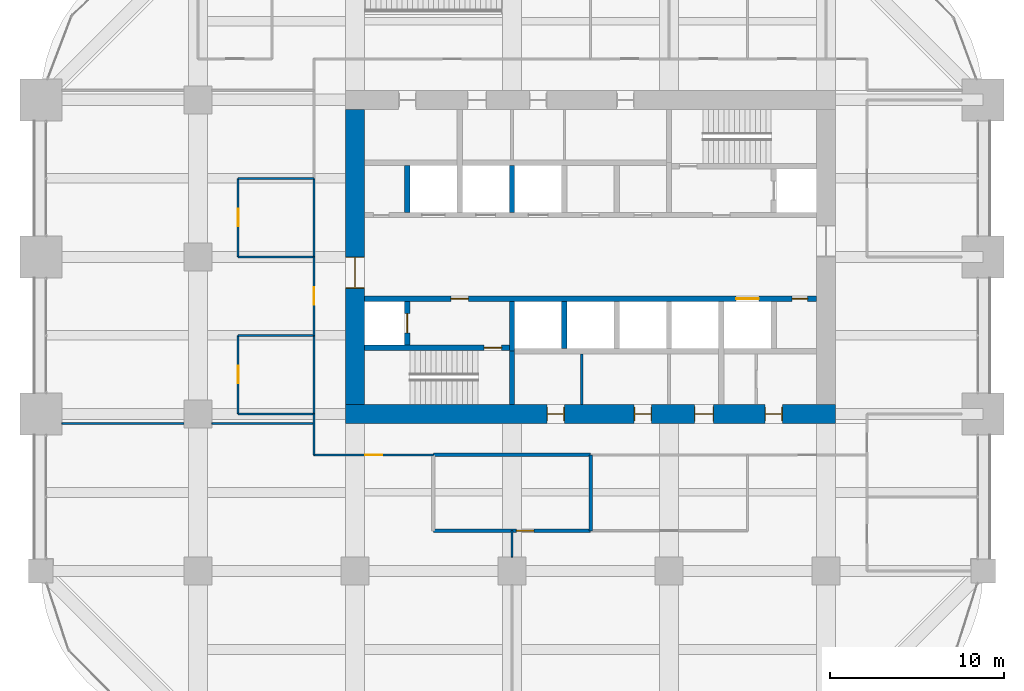
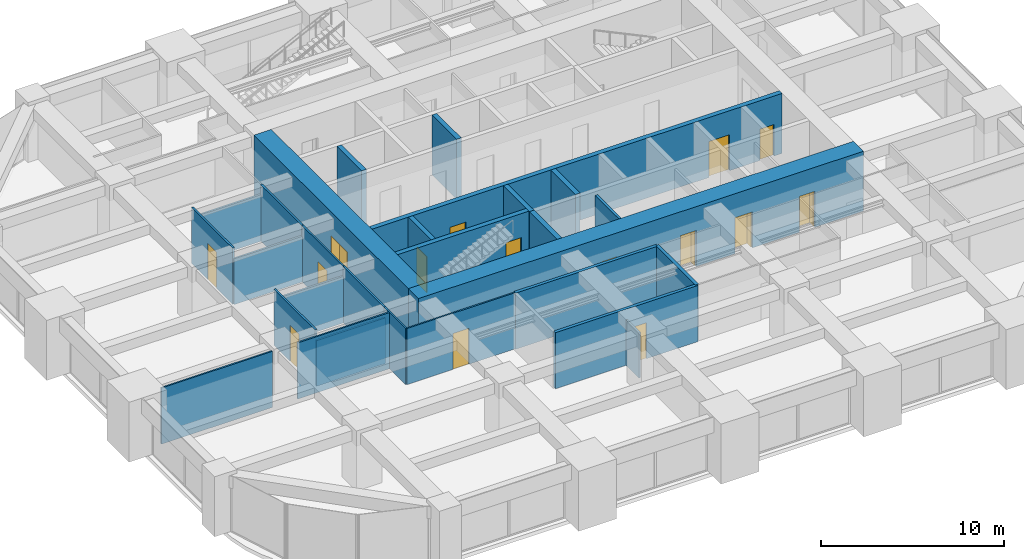
# One storey, part 29 of 33: 28 walls, 15 doors, 15 openings.
"""IFC4 building model written with IfcOpenShell, lengths in metres."""

import ifcopenshell
import ifcopenshell.guid

model = None  # the IFC model being written
_history = None  # IfcOwnerHistory: only IFC2X3 demands one
_inside = {}  # id of a spatial element -> (the spatial element, [elements in it])
_under = {}  # id of a project, library or spatial element -> (it, [spatial elements below it])
_declared = {}  # id of a project -> (the project, [libraries it declares])
_typed = {}  # id of a type object -> (the type object, [elements of that type])
_made_of = {}  # id of a material, layer set ... -> (it, [elements and type objects made of it])


def new_model(schema):
    """Start an empty IFC model of exactly this schema.

    Asked for "IFC4X3", IfcOpenShell would pick the latest addendum, in which some entities
    have other attributes; the version numbers below select the first issue.
    IFC2X3 requires an IfcOwnerHistory on every rooted entity: one is made here for all.
    """
    global model, _history
    if schema == "IFC4X3":
        model = ifcopenshell.file(schema_version=(4, 3, 0, 0))
    else:
        model = ifcopenshell.file(schema=schema)
    _inside.clear()
    _under.clear()
    _declared.clear()
    _typed.clear()
    _made_of.clear()
    _history = None
    if model.schema == "IFC2X3":
        org = make("IfcOrganization", Name="unknown")
        user = make(
            "IfcPersonAndOrganization",
            ThePerson=make("IfcPerson", FamilyName="unknown"),
            TheOrganization=org,
        )
        app = make(
            "IfcApplication",
            ApplicationDeveloper=org,
            Version="unknown",
            ApplicationFullName="unknown",
            ApplicationIdentifier="unknown",
        )
        _history = make(
            "IfcOwnerHistory",
            OwningUser=user,
            OwningApplication=app,
            ChangeAction="ADDED",
            CreationDate=0,
        )
    return model


def make(cls, **values):
    """One entity of the class cls with the attributes given. An attribute that is None is left unset."""
    return model.create_entity(
        cls, **{name: value for name, value in values.items() if value is not None}
    )


def rooted(cls, **values):
    """An entity with a GlobalId (a new one), such as an element, a storey or a relation."""
    return make(cls, GlobalId=ifcopenshell.guid.new(), OwnerHistory=_history, **values)


def si_unit(unit_type, name, prefix=None):
    """IfcSIUnit, for example si_unit("LENGTHUNIT", "METRE", prefix="MILLI")."""
    return make("IfcSIUnit", UnitType=unit_type, Prefix=prefix, Name=name)


def assignment(units):
    """IfcUnitAssignment: the units of a project."""
    return None if units is None else make("IfcUnitAssignment", Units=units)


def point(xyz):
    """IfcCartesianPoint."""
    return None if xyz is None else make("IfcCartesianPoint", Coordinates=xyz)


def direction(xyz):
    """IfcDirection."""
    return None if xyz is None else make("IfcDirection", DirectionRatios=xyz)


def frame(location, z_axis=None, x_axis=None):
    """IfcAxis2Placement3D, a coordinate frame: its origin and axes. An axis left out is left unset."""
    return make(
        "IfcAxis2Placement3D",
        Location=point(location),
        Axis=direction(z_axis),
        RefDirection=direction(x_axis),
    )


def frame_2d(location, x_axis=None):
    """IfcAxis2Placement2D, a coordinate frame in the plane: its origin and x axis."""
    return make(
        "IfcAxis2Placement2D", Location=point(location), RefDirection=direction(x_axis)
    )


def origin():
    """The frame at (0, 0, 0) with its axes left unset."""
    return frame((0.0, 0.0, 0.0))


def place(relative_to, where):
    """IfcLocalPlacement: puts the frame where relative to a parent placement (None: the world)."""
    return make(
        "IfcLocalPlacement", PlacementRelTo=relative_to, RelativePlacement=where
    )


def context(
    kind, dimensions, precision=None, world=None, true_north=None, identifier=None
):
    """IfcGeometricRepresentationContext, for example the 3D "Model" context."""
    return make(
        "IfcGeometricRepresentationContext",
        ContextIdentifier=identifier,
        ContextType=kind,
        CoordinateSpaceDimension=dimensions,
        Precision=precision,
        WorldCoordinateSystem=world,
        TrueNorth=true_north,
    )


def subcontext(parent, identifier, kind, view, scale=None):
    """IfcGeometricRepresentationSubContext, for example "Body" below "Model"."""
    return make(
        "IfcGeometricRepresentationSubContext",
        ContextIdentifier=identifier,
        ContextType=kind,
        ParentContext=parent,
        TargetScale=scale,
        TargetView=view,
    )


def project(units=None, contexts=None):
    """IfcProject with its units and contexts."""
    return rooted(
        "IfcProject",
        Name="project",
        RepresentationContexts=contexts,
        UnitsInContext=assignment(units),
    )


def spatial(cls, under=None, at=None, **own):
    """A site, building, storey or space (cls), placed at a placement, below another one or the project."""
    s = rooted(cls, ObjectPlacement=at, **own)
    if under is not None:
        _under.setdefault(under.id(), (under, []))[1].append(s)
    return s


def profile(cls, at=None, kind="AREA", **sizes):
    """A parametric profile (cls). Its sizes go by their IFC names, for example OverallWidth=200.0."""
    return make(cls, ProfileType=kind, Position=at, **sizes)


def rectangle(**sizes):
    """IfcRectangleProfileDef."""
    return profile("IfcRectangleProfileDef", **sizes)


def extrude(swept, where, along, depth):
    """IfcExtrudedAreaSolid: the profile swept, set in the frame where, extruded along a direction by depth."""
    return make(
        "IfcExtrudedAreaSolid",
        SweptArea=swept,
        Position=where,
        ExtrudedDirection=direction(along),
        Depth=depth,
    )


def shape(context_of_items, identifier, shape_type, items):
    """IfcShapeRepresentation: the items that make up one representation, for example the "Body"."""
    return make(
        "IfcShapeRepresentation",
        ContextOfItems=context_of_items,
        RepresentationIdentifier=identifier,
        RepresentationType=shape_type,
        Items=items,
    )


def material(Name=None, Category=None):
    """IfcMaterial."""
    return make("IfcMaterial", Name=Name, Category=Category)


def layer(
    of_material, thickness, ventilated=None, Name=None, Category=None, Priority=None
):
    """IfcMaterialLayer: one layer of a wall or slab, of a material (None: an air gap)."""
    return make(
        "IfcMaterialLayer",
        Material=of_material,
        LayerThickness=thickness,
        IsVentilated=ventilated,
        Name=Name,
        Category=Category,
        Priority=Priority,
    )


def layer_set(layers, Name=None):
    """IfcMaterialLayerSet."""
    return make("IfcMaterialLayerSet", MaterialLayers=layers, LayerSetName=Name)


def made_of(thing, what):
    """Note that an element or type object is made of a material, layer set ...; save() writes the relation."""
    if what is not None:
        _made_of.setdefault(what.id(), (what, []))[1].append(thing)
    return thing


def type_object(cls, material=None, **own):
    """A type object (cls), such as IfcWallType, which elements share."""
    return made_of(rooted(cls, **own), material)


def element(
    cls,
    number,
    at=None,
    inside=None,
    cuts=None,
    type_object=None,
    material=None,
    context=None,
    identifier="Body",
    shape_type=None,
    held_by="IfcProductDefinitionShape",
    body=None,
    shapes=None,
    **own,
):
    """One element of the class cls, such as IfcWall. Its Tag is "e" and its number.

    at: its placement. inside: the storey or other place that contains it. cuts: it is an
    opening in that element (IfcRelVoidsElement). A single representation is given by context,
    identifier, shape_type and body (its items); several are given by shapes. held_by: the class
    of the entity that holds the representations. save() writes the other relations.
    """
    e = rooted(cls, Tag="e%d" % number, ObjectPlacement=at, **own)
    if body is not None:
        shapes = [shape(context, identifier, shape_type, body)]
    if shapes is not None:
        e.Representation = make(held_by, Representations=shapes)
    if inside is not None:
        _inside.setdefault(inside.id(), (inside, []))[1].append(e)
    if cuts is not None:
        rooted(
            "IfcRelVoidsElement", RelatingBuildingElement=cuts, RelatedOpeningElement=e
        )
    if type_object is not None:
        _typed.setdefault(type_object.id(), (type_object, []))[1].append(e)
    return made_of(e, material)


def fill(opening, filler):
    """IfcRelFillsElement: the door or window that sits in an opening."""
    return rooted(
        "IfcRelFillsElement",
        RelatingOpeningElement=opening,
        RelatedBuildingElement=filler,
    )


def aggregate(whole, parts):
    """IfcRelAggregates: a whole, such as a stair, and the parts it consists of."""
    return rooted("IfcRelAggregates", RelatingObject=whole, RelatedObjects=parts)


def save(model, path):
    """Write the relations noted so far, then the file.

    IfcRelAggregates (storeys below a building ...), IfcRelContainedInSpatialStructure (elements
    in a storey), IfcRelDefinesByType, IfcRelAssociatesMaterial and IfcRelDeclares: one each for
    every whole, place, type object, material and project.
    """
    for whole, parts in _under.values():
        aggregate(whole, parts)
    for where, things in _inside.values():
        rooted(
            "IfcRelContainedInSpatialStructure",
            RelatedElements=things,
            RelatingStructure=where,
        )
    for kind, things in _typed.values():
        rooted("IfcRelDefinesByType", RelatedObjects=things, RelatingType=kind)
    for what, things in _made_of.values():
        rooted("IfcRelAssociatesMaterial", RelatedObjects=things, RelatingMaterial=what)
    for by, libraries in _declared.values():
        rooted("IfcRelDeclares", RelatingContext=by, RelatedDefinitions=libraries)
    model.write(path)


model = new_model("IFC4")

# Units and contexts
model_context = context("Model", 3, precision=1e-05, world=origin(), true_north=direction((0.0, 1.0)))
body_context = subcontext(model_context, "Body", "Model", "MODEL_VIEW")
ifc_project = project(units=[si_unit("LENGTHUNIT", "METRE"), si_unit("AREAUNIT", "SQUARE_METRE"), si_unit("VOLUMEUNIT", "CUBIC_METRE"), si_unit("PLANEANGLEUNIT", "RADIAN"), si_unit("MASSUNIT", "GRAM", prefix="KILO")], contexts=[model_context])

# Site, building, storey
site_placement = place(None, origin())
site = spatial("IfcSite", under=ifc_project, at=site_placement, CompositionType="ELEMENT")
building_placement = place(site_placement, origin())
building = spatial("IfcBuilding", under=site, at=building_placement, Name="Zorevar Civic Tower", CompositionType="ELEMENT")
storey_placement = place(building_placement, frame((0.0, 0.0, 194.199951171875)))
storey = spatial("IfcBuildingStorey", under=building, at=storey_placement, Name="L47", CompositionType="ELEMENT", Elevation=194.199951171875)

# Wall, opening, door
ifc_material_1 = material(Name="Concrete blockwork", Category="masonry")
ifc_layer_1 = layer(ifc_material_1, 0.199951171875)
ifc_layer_set_1 = layer_set([ifc_layer_1], Name="Blockwork wall 200")
wall_type_1 = type_object("IfcWallType", Name="Blockwork wall 200", PredefinedType="SOLIDWALL", material=ifc_layer_set_1)
wall_1_placement = place(storey_placement, frame((22.5, 11.300048828125, 0.0), z_axis=(0.0, 0.0, 1.0), x_axis=(1.0, 0.0, 0.0)))
wall_1 = element("IfcWall", 1, at=wall_1_placement, inside=storey, type_object=wall_type_1, Name="Blockwork wall 200 L47", PredefinedType="SOLIDWALL", context=body_context, shape_type="SweptSolid", body=[
    extrude(rectangle(XDim=9.0, YDim=0.199951171875, at=frame_2d((4.5, 0.0))), origin(), (0.0, 0.0, 1.0), 3.75),
])
opening_1_placement = place(wall_1_placement, frame((4.75, 0.0, 0.0)))
opening_1 = element("IfcOpeningElement", 2, at=opening_1_placement, cuts=wall_1, Name="Opening L47.17", PredefinedType="OPENING", context=body_context, shape_type="SweptSolid", body=[
    extrude(rectangle(XDim=1.0, YDim=2.39990234375, at=frame_2d((0.5, 1.199951171875))), frame((0.0, 0.10986328125, 0.0), z_axis=(0.0, -1.0, 0.0), x_axis=(1.0, 0.0, 0.0)), (0.0, 0.0, 1.0), 0.219970703125),
])
ifc_material_2 = material(Name="Steel door set", Category="steel")
door_type_1 = type_object("IfcDoorType", Name="Security door SD1 1000x2400", OperationType="SINGLE_SWING_LEFT", PredefinedType="DOOR", material=ifc_material_2)
door_1_placement = place(opening_1_placement, origin())
door_1 = element("IfcDoor", 3, at=door_1_placement, inside=storey, type_object=door_type_1, Name="Door L47 D1", OperationType="SINGLE_SWING_RIGHT", OverallHeight=2.39990234375, OverallWidth=1.0, PredefinedType="DOOR", context=body_context, shape_type="SweptSolid", body=[
    extrude(rectangle(XDim=1.0, YDim=2.39990234375, at=frame_2d((0.5, 1.199951171875))), frame((0.0, 0.03515625, 0.0), z_axis=(0.0, -1.0, 0.0), x_axis=(1.0, 0.0, 0.0)), (0.0, 0.0, 1.0), 0.070068359375),
])
fill(opening_1, door_1)

# Walls
wall_2_placement = place(storey_placement, frame((22.5, 15.64990234375, 0.0), z_axis=(0.0, 0.0, 1.0), x_axis=(1.0, 0.0, 0.0)))
element("IfcWall", 4, at=wall_2_placement, inside=storey, type_object=wall_type_1, Name="Blockwork wall 200 L47", PredefinedType="SOLIDWALL", context=body_context, shape_type="SweptSolid", body=[
    extrude(rectangle(XDim=9.0, YDim=0.199951171875, at=frame_2d((4.5, 0.0))), origin(), (0.0, 0.0, 1.0), 3.75),
])
wall_3_placement = place(storey_placement, frame((31.5, 11.300048828125, 0.0), z_axis=(0.0, 0.0, 1.0), x_axis=(0.0, 1.0, 0.0)))
element("IfcWall", 5, at=wall_3_placement, inside=storey, type_object=wall_type_1, Name="Blockwork wall 200 L47", PredefinedType="SOLIDWALL", context=body_context, shape_type="SweptSolid", body=[
    extrude(rectangle(XDim=4.349853515625, YDim=0.199951171875, at=frame_2d((2.1748046875, 0.0))), origin(), (0.0, 0.0, 1.0), 3.75),
])

# Wall, openings, doors
ifc_material_3 = material(Name="Concrete C50/60", Category="concrete")
ifc_layer_2 = layer(ifc_material_3, 1.10009765625)
ifc_layer_set_2 = layer_set([ifc_layer_2], Name="Core wall 1100")
wall_type_2 = type_object("IfcWallType", Name="Core wall 1100", PredefinedType="SHEAR", material=ifc_layer_set_2)
wall_4_placement = place(storey_placement, frame((17.449951171875, 18.0, 0.0), z_axis=(0.0, 0.0, 1.0), x_axis=(1.0, 0.0, 0.0)))
wall_4 = element("IfcWall", 6, at=wall_4_placement, inside=storey, type_object=wall_type_2, Name="Core wall S L47", PredefinedType="SHEAR", context=body_context, shape_type="SweptSolid", body=[
    extrude(rectangle(XDim=28.10009765625, YDim=1.10009765625, at=frame_2d((14.050048828125, 0.0))), origin(), (0.0, 0.0, 1.0), 4.0),
])
opening_2_placement = place(wall_4_placement, frame((11.550048828125, 0.0, 0.0)))
opening_2 = element("IfcOpeningElement", 7, at=opening_2_placement, cuts=wall_4, Name="Opening L47.03", PredefinedType="OPENING", context=body_context, shape_type="SweptSolid", body=[
    extrude(rectangle(XDim=1.0, YDim=2.39990234375, at=frame_2d((0.5, 1.199951171875))), frame((0.0, 0.56005859375, 0.0), z_axis=(0.0, -1.0, 0.0), x_axis=(1.0, 0.0, 0.0)), (0.0, 0.0, 1.0), 1.1201171875),
])
opening_3_placement = place(wall_4_placement, frame((16.550048828125, 0.0, 0.0)))
opening_3 = element("IfcOpeningElement", 8, at=opening_3_placement, cuts=wall_4, Name="Opening L47.04", PredefinedType="OPENING", context=body_context, shape_type="SweptSolid", body=[
    extrude(rectangle(XDim=1.0, YDim=2.39990234375, at=frame_2d((0.5, 1.199951171875))), frame((0.0, 0.56005859375, 0.0), z_axis=(0.0, -1.0, 0.0), x_axis=(1.0, 0.0, 0.0)), (0.0, 0.0, 1.0), 1.1201171875),
])
opening_4_placement = place(wall_4_placement, frame((20.0, 0.0, 0.0)))
opening_4 = element("IfcOpeningElement", 9, at=opening_4_placement, cuts=wall_4, Name="Opening L47.05", PredefinedType="OPENING", context=body_context, shape_type="SweptSolid", body=[
    extrude(rectangle(XDim=1.10009765625, YDim=2.39990234375, at=frame_2d((0.550048828125, 1.199951171875))), frame((0.0, 0.56005859375, 0.0), z_axis=(0.0, -1.0, 0.0), x_axis=(1.0, 0.0, 0.0)), (0.0, 0.0, 1.0), 1.1201171875),
])
opening_5_placement = place(wall_4_placement, frame((24.050048828125, 0.0, 0.0)))
opening_5 = element("IfcOpeningElement", 10, at=opening_5_placement, cuts=wall_4, Name="Opening L47.06", PredefinedType="OPENING", context=body_context, shape_type="SweptSolid", body=[
    extrude(rectangle(XDim=1.0, YDim=2.39990234375, at=frame_2d((0.5, 1.199951171875))), frame((0.0, 0.56005859375, 0.0), z_axis=(0.0, -1.0, 0.0), x_axis=(1.0, 0.0, 0.0)), (0.0, 0.0, 1.0), 1.1201171875),
])
ifc_material_4 = material(Name="Timber door set", Category="wood")
door_type_2 = type_object("IfcDoorType", Name="Door D1 1000x2400", OperationType="SINGLE_SWING_LEFT", PredefinedType="DOOR", material=ifc_material_4)
door_2_placement = place(opening_2_placement, origin())
door_2 = element("IfcDoor", 11, at=door_2_placement, inside=storey, type_object=door_type_2, Name="Door L47 02", OperationType="SINGLE_SWING_RIGHT", OverallHeight=2.39990234375, OverallWidth=1.0, PredefinedType="DOOR", context=body_context, shape_type="SweptSolid", body=[
    extrude(rectangle(XDim=1.0, YDim=2.39990234375, at=frame_2d((0.5, 1.199951171875))), frame((0.0, 0.02490234375, 0.0), z_axis=(0.0, -1.0, 0.0), x_axis=(1.0, 0.0, 0.0)), (0.0, 0.0, 1.0), 0.050048828125),
    extrude(rectangle(XDim=0.04, YDim=2.39990234375, at=frame_2d((0.02001953125, 1.199951171875))), frame((0.0, 0.39990234375, 0.0), z_axis=(0.0, -1.0, 0.0), x_axis=(1.0, 0.0, 0.0)), (0.0, 0.0, 1.0), 0.800048828125),
    extrude(rectangle(XDim=0.04, YDim=2.39990234375, at=frame_2d((0.97998046875, 1.199951171875))), frame((0.0, 0.39990234375, 0.0), z_axis=(0.0, -1.0, 0.0), x_axis=(1.0, 0.0, 0.0)), (0.0, 0.0, 1.0), 0.800048828125),
    extrude(rectangle(XDim=1.0, YDim=0.04, at=frame_2d((0.5, 2.3798828125))), frame((0.0, 0.39990234375, 0.0), z_axis=(0.0, -1.0, 0.0), x_axis=(1.0, 0.0, 0.0)), (0.0, 0.0, 1.0), 0.800048828125),
])
fill(opening_2, door_2)
door_3_placement = place(opening_3_placement, origin())
door_3 = element("IfcDoor", 12, at=door_3_placement, inside=storey, type_object=door_type_2, Name="Door L47 03", OperationType="SINGLE_SWING_LEFT", OverallHeight=2.39990234375, OverallWidth=1.0, PredefinedType="DOOR", context=body_context, shape_type="SweptSolid", body=[
    extrude(rectangle(XDim=1.0, YDim=2.39990234375, at=frame_2d((0.5, 1.199951171875))), frame((0.0, 0.02490234375, 0.0), z_axis=(0.0, -1.0, 0.0), x_axis=(1.0, 0.0, 0.0)), (0.0, 0.0, 1.0), 0.050048828125),
    extrude(rectangle(XDim=0.04, YDim=2.39990234375, at=frame_2d((0.02001953125, 1.199951171875))), frame((0.0, 0.39990234375, 0.0), z_axis=(0.0, -1.0, 0.0), x_axis=(1.0, 0.0, 0.0)), (0.0, 0.0, 1.0), 0.800048828125),
    extrude(rectangle(XDim=0.04, YDim=2.39990234375, at=frame_2d((0.97998046875, 1.199951171875))), frame((0.0, 0.39990234375, 0.0), z_axis=(0.0, -1.0, 0.0), x_axis=(1.0, 0.0, 0.0)), (0.0, 0.0, 1.0), 0.800048828125),
    extrude(rectangle(XDim=1.0, YDim=0.04, at=frame_2d((0.5, 2.3798828125))), frame((0.0, 0.39990234375, 0.0), z_axis=(0.0, -1.0, 0.0), x_axis=(1.0, 0.0, 0.0)), (0.0, 0.0, 1.0), 0.800048828125),
])
fill(opening_3, door_3)
door_4_placement = place(opening_5_placement, origin())
door_4 = element("IfcDoor", 13, at=door_4_placement, inside=storey, type_object=door_type_2, Name="Door L47 05", OperationType="SINGLE_SWING_LEFT", OverallHeight=2.39990234375, OverallWidth=1.0, PredefinedType="DOOR", context=body_context, shape_type="SweptSolid", body=[
    extrude(rectangle(XDim=1.0, YDim=2.39990234375, at=frame_2d((0.5, 1.199951171875))), frame((0.0, 0.02490234375, 0.0), z_axis=(0.0, -1.0, 0.0), x_axis=(1.0, 0.0, 0.0)), (0.0, 0.0, 1.0), 0.050048828125),
    extrude(rectangle(XDim=0.04, YDim=2.39990234375, at=frame_2d((0.02001953125, 1.199951171875))), frame((0.0, 0.39990234375, 0.0), z_axis=(0.0, -1.0, 0.0), x_axis=(1.0, 0.0, 0.0)), (0.0, 0.0, 1.0), 0.800048828125),
    extrude(rectangle(XDim=0.04, YDim=2.39990234375, at=frame_2d((0.97998046875, 1.199951171875))), frame((0.0, 0.39990234375, 0.0), z_axis=(0.0, -1.0, 0.0), x_axis=(1.0, 0.0, 0.0)), (0.0, 0.0, 1.0), 0.800048828125),
    extrude(rectangle(XDim=1.0, YDim=0.04, at=frame_2d((0.5, 2.3798828125))), frame((0.0, 0.39990234375, 0.0), z_axis=(0.0, -1.0, 0.0), x_axis=(1.0, 0.0, 0.0)), (0.0, 0.0, 1.0), 0.800048828125),
])
fill(opening_5, door_4)
ifc_material_5 = material(Name="Timber door set", Category="wood")
door_type_3 = type_object("IfcDoorType", Name="Door D5 1100x2400", OperationType="SINGLE_SWING_LEFT", PredefinedType="DOOR", material=ifc_material_5)
door_5_placement = place(opening_4_placement, origin())
door_5 = element("IfcDoor", 14, at=door_5_placement, inside=storey, type_object=door_type_3, Name="Door L47 04", OperationType="SINGLE_SWING_LEFT", OverallHeight=2.39990234375, OverallWidth=1.10009765625, PredefinedType="DOOR", context=body_context, shape_type="SweptSolid", body=[
    extrude(rectangle(XDim=1.10009765625, YDim=2.39990234375, at=frame_2d((0.550048828125, 1.199951171875))), frame((0.0, 0.02490234375, 0.0), z_axis=(0.0, -1.0, 0.0), x_axis=(1.0, 0.0, 0.0)), (0.0, 0.0, 1.0), 0.050048828125),
    extrude(rectangle(XDim=0.04, YDim=2.39990234375, at=frame_2d((0.02001953125, 1.199951171875))), frame((0.0, 0.43994140625, 0.0), z_axis=(0.0, -1.0, 0.0), x_axis=(1.0, 0.0, 0.0)), (0.0, 0.0, 1.0), 0.880126953125),
    extrude(rectangle(XDim=0.04, YDim=2.39990234375, at=frame_2d((1.080078125, 1.199951171875))), frame((0.0, 0.43994140625, 0.0), z_axis=(0.0, -1.0, 0.0), x_axis=(1.0, 0.0, 0.0)), (0.0, 0.0, 1.0), 0.880126953125),
    extrude(rectangle(XDim=1.10009765625, YDim=0.04, at=frame_2d((0.550048828125, 2.3798828125))), frame((0.0, 0.43994140625, 0.0), z_axis=(0.0, -1.0, 0.0), x_axis=(1.0, 0.0, 0.0)), (0.0, 0.0, 1.0), 0.880126953125),
])
fill(opening_4, door_5)

# Wall, opening, door
wall_5_placement = place(storey_placement, frame((18.0, 35.449951171875, 0.0), z_axis=(0.0, 0.0, 1.0), x_axis=(0.0, -1.0, 0.0)))
wall_5 = element("IfcWall", 15, at=wall_5_placement, inside=storey, type_object=wall_type_2, Name="Core wall W L47", PredefinedType="SHEAR", context=body_context, shape_type="SweptSolid", body=[
    extrude(rectangle(XDim=16.89990234375, YDim=1.10009765625, at=frame_2d((8.449951171875, 0.0))), origin(), (0.0, 0.0, 1.0), 4.0),
])
opening_6_placement = place(wall_5_placement, frame((8.449951171875, 0.0, 0.0)))
opening_6 = element("IfcOpeningElement", 16, at=opening_6_placement, cuts=wall_5, Name="Opening L47.01", PredefinedType="OPENING", context=body_context, shape_type="SweptSolid", body=[
    extrude(rectangle(XDim=1.800048828125, YDim=2.39990234375, at=frame_2d((0.89990234375, 1.199951171875))), frame((0.0, 0.56005859375, 0.0), z_axis=(0.0, -1.0, 0.0), x_axis=(1.0, 0.0, 0.0)), (0.0, 0.0, 1.0), 1.1201171875),
])
ifc_material_6 = material(Name="Steel door set", Category="steel")
door_type_4 = type_object("IfcDoorType", Name="Fire door FD2 1800x2400", OperationType="DOUBLE_DOOR_DOUBLE_SWING", PredefinedType="DOOR", material=ifc_material_6)
door_6_placement = place(opening_6_placement, origin())
door_6 = element("IfcDoor", 17, at=door_6_placement, inside=storey, type_object=door_type_4, Name="Door L47 00", OperationType="DOUBLE_DOOR_DOUBLE_SWING", OverallHeight=2.39990234375, OverallWidth=1.800048828125, PredefinedType="DOOR", context=body_context, shape_type="SweptSolid", body=[
    extrude(rectangle(XDim=1.800048828125, YDim=2.39990234375, at=frame_2d((0.89990234375, 1.199951171875))), frame((0.0, 0.030029296875, 0.0), z_axis=(0.0, -1.0, 0.0), x_axis=(1.0, 0.0, 0.0)), (0.0, 0.0, 1.0), 0.06005859375),
    extrude(rectangle(XDim=0.04, YDim=2.39990234375, at=frame_2d((0.02001953125, 1.199951171875))), frame((0.0, 0.5498046875, 0.0), z_axis=(0.0, -1.0, 0.0), x_axis=(1.0, 0.0, 0.0)), (0.0, 0.0, 1.0), 1.099609375),
    extrude(rectangle(XDim=0.04, YDim=2.39990234375, at=frame_2d((1.780029296875, 1.199951171875))), frame((0.0, 0.5498046875, 0.0), z_axis=(0.0, -1.0, 0.0), x_axis=(1.0, 0.0, 0.0)), (0.0, 0.0, 1.0), 1.099609375),
    extrude(rectangle(XDim=1.800048828125, YDim=0.04, at=frame_2d((0.89990234375, 2.3798828125))), frame((0.0, 0.5498046875, 0.0), z_axis=(0.0, -1.0, 0.0), x_axis=(1.0, 0.0, 0.0)), (0.0, 0.0, 1.0), 1.099609375),
])
fill(opening_6, door_6)

ifc_material_7 = material(Name="Laminated glass in black aluminium frame", Category="aluminium")
ifc_layer_3 = layer(ifc_material_7, 0.10009765625)
ifc_layer_set_3 = layer_set([ifc_layer_3], Name="Glazed partition 100")
wall_type_3 = type_object("IfcWallType", Name="Glazed partition 100", PredefinedType="PARTITIONING", material=ifc_layer_set_3)
wall_6_placement = place(storey_placement, frame((15.64990234375, 15.64990234375, 0.0), z_axis=(0.0, 0.0, 1.0), x_axis=(1.0, 0.0, 0.0)))
wall_6 = element("IfcWall", 18, at=wall_6_placement, inside=storey, type_object=wall_type_3, Name="Glazed partition 100 L47", PredefinedType="PARTITIONING", context=body_context, shape_type="SweptSolid", body=[
    extrude(rectangle(XDim=6.85009765625, YDim=0.10009765625, at=frame_2d((3.425048828125, 0.0))), origin(), (0.0, 0.0, 1.0), 3.75),
])
opening_7_placement = place(wall_6_placement, frame((2.925048828125, 0.0, 0.0)))
opening_7 = element("IfcOpeningElement", 19, at=opening_7_placement, cuts=wall_6, Name="Opening L47.19", PredefinedType="OPENING", context=body_context, shape_type="SweptSolid", body=[
    extrude(rectangle(XDim=1.0, YDim=2.39990234375, at=frame_2d((0.5, 1.199951171875))), frame((0.0, 0.06005859375, 0.0), z_axis=(0.0, -1.0, 0.0), x_axis=(1.0, 0.0, 0.0)), (0.0, 0.0, 1.0), 0.1201171875),
])
ifc_material_8 = material(Name="Timber door set", Category="wood")
door_type_5 = type_object("IfcDoorType", Name="Glazed door GD1 1000x2400", OperationType="SINGLE_SWING_LEFT", PredefinedType="DOOR", material=ifc_material_8)
door_7_placement = place(opening_7_placement, origin())
door_7 = element("IfcDoor", 20, at=door_7_placement, inside=storey, type_object=door_type_5, Name="Door L47 D1", OperationType="SINGLE_SWING_RIGHT", OverallHeight=2.39990234375, OverallWidth=1.0, PredefinedType="DOOR", context=body_context, shape_type="SweptSolid", body=[
    extrude(rectangle(XDim=1.0, YDim=2.39990234375, at=frame_2d((0.5, 1.199951171875))), frame((0.0, 0.02001953125, 0.0), z_axis=(0.0, -1.0, 0.0), x_axis=(1.0, 0.0, 0.0)), (0.0, 0.0, 1.0), 0.0400390625),
])
fill(opening_7, door_7)

# Walls
wall_7_placement = place(storey_placement, frame((1.199951171875, 17.449951171875, 0.0), z_axis=(0.0, 0.0, 1.0), x_axis=(1.0, 0.0, 0.0)))
element("IfcWall", 21, at=wall_7_placement, inside=storey, type_object=wall_type_3, Name="Glazed partition 100 L47", PredefinedType="PARTITIONING", context=body_context, shape_type="SweptSolid", body=[
    extrude(rectangle(XDim=7.0, YDim=0.10009765625, at=frame_2d((3.5, 0.0))), origin(), (0.0, 0.0, 1.0), 3.75),
])
wall_8_placement = place(storey_placement, frame((9.800048828125, 17.449951171875, 0.0), z_axis=(0.0, 0.0, 1.0), x_axis=(1.0, 0.0, 0.0)))
element("IfcWall", 22, at=wall_8_placement, inside=storey, type_object=wall_type_3, Name="Glazed partition 100 L47", PredefinedType="PARTITIONING", context=body_context, shape_type="SweptSolid", body=[
    extrude(rectangle(XDim=5.849853515625, YDim=0.10009765625, at=frame_2d((2.9248046875, 0.0))), origin(), (0.0, 0.0, 1.0), 3.75),
])
wall_9_placement = place(storey_placement, frame((15.64990234375, 15.64990234375, 0.0), z_axis=(0.0, 0.0, 1.0), x_axis=(0.0, 1.0, 0.0)))
element("IfcWall", 23, at=wall_9_placement, inside=storey, type_object=wall_type_3, Name="Glazed partition 100 L47", PredefinedType="PARTITIONING", context=body_context, shape_type="SweptSolid", body=[
    extrude(rectangle(XDim=2.35009765625, YDim=0.10009765625, at=frame_2d((1.175048828125, 0.0))), origin(), (0.0, 0.0, 1.0), 3.75),
])

# Wall, opening, door
wall_10_placement = place(storey_placement, frame((15.64990234375, 22.5, 0.0), z_axis=(0.0, 0.0, 1.0), x_axis=(0.0, 1.0, 0.0)))
wall_10 = element("IfcWall", 24, at=wall_10_placement, inside=storey, type_object=wall_type_3, Name="Glazed partition 100 L47", PredefinedType="PARTITIONING", context=body_context, shape_type="SweptSolid", body=[
    extrude(rectangle(XDim=4.5, YDim=0.10009765625, at=frame_2d((2.25, 0.0))), origin(), (0.0, 0.0, 1.0), 3.75),
])
opening_8_placement = place(wall_10_placement, frame((1.75, 0.0, 0.0)))
opening_8 = element("IfcOpeningElement", 25, at=opening_8_placement, cuts=wall_10, Name="Opening L47.29", PredefinedType="OPENING", context=body_context, shape_type="SweptSolid", body=[
    extrude(rectangle(XDim=1.0, YDim=2.39990234375, at=frame_2d((0.5, 1.199951171875))), frame((0.0, 0.06005859375, 0.0), z_axis=(0.0, -1.0, 0.0), x_axis=(1.0, 0.0, 0.0)), (0.0, 0.0, 1.0), 0.1201171875),
])
door_8_placement = place(opening_8_placement, origin())
door_8 = element("IfcDoor", 26, at=door_8_placement, inside=storey, type_object=door_type_5, Name="Door L47 D1", OperationType="SINGLE_SWING_LEFT", OverallHeight=2.39990234375, OverallWidth=1.0, PredefinedType="DOOR", context=body_context, shape_type="SweptSolid", body=[
    extrude(rectangle(XDim=1.0, YDim=2.39990234375, at=frame_2d((0.5, 1.199951171875))), frame((0.0, 0.02001953125, 0.0), z_axis=(0.0, -1.0, 0.0), x_axis=(1.0, 0.0, 0.0)), (0.0, 0.0, 1.0), 0.0400390625),
])
fill(opening_8, door_8)

# Wall
wall_11_placement = place(storey_placement, frame((27.0, 9.800048828125, 0.0), z_axis=(0.0, 0.0, 1.0), x_axis=(0.0, 1.0, 0.0)))
element("IfcWall", 27, at=wall_11_placement, inside=storey, type_object=wall_type_3, Name="Glazed partition 100 L47", PredefinedType="PARTITIONING", context=body_context, shape_type="SweptSolid", body=[
    extrude(rectangle(XDim=1.510009765625, YDim=0.10009765625, at=frame_2d((0.7548828125, 0.0))), origin(), (0.0, 0.0, 1.0), 3.050048828125),
])

# Wall, opening, door
ifc_material_9 = material(Name="Concrete C40/50", Category="concrete")
ifc_layer_4 = layer(ifc_material_9, 0.300048828125)
ifc_layer_set_4 = layer_set([ifc_layer_4], Name="Inner core wall 300")
wall_type_4 = type_object("IfcWallType", Name="Inner core wall 300", PredefinedType="SHEAR", material=ifc_layer_set_4)
wall_12_placement = place(storey_placement, frame((18.550048828125, 21.800048828125, 0.0), z_axis=(0.0, 0.0, 1.0), x_axis=(1.0, 0.0, 0.0)))
wall_12 = element("IfcWall", 28, at=wall_12_placement, inside=storey, type_object=wall_type_4, Name="Inner core wall S00 L47", PredefinedType="SHEAR", context=body_context, shape_type="SweptSolid", body=[
    extrude(rectangle(XDim=8.300048828125, YDim=0.300048828125, at=frame_2d((4.14990234375, 0.0))), origin(), (0.0, 0.0, 1.0), 4.0),
])
opening_9_placement = place(wall_12_placement, frame((6.85009765625, 0.0, 0.0)))
opening_9 = element("IfcOpeningElement", 29, at=opening_9_placement, cuts=wall_12, Name="Opening L47.11", PredefinedType="OPENING", context=body_context, shape_type="SweptSolid", body=[
    extrude(rectangle(XDim=1.0, YDim=2.39990234375, at=frame_2d((0.5, 1.199951171875))), frame((0.0, 0.159912109375, 0.0), z_axis=(0.0, -1.0, 0.0), x_axis=(1.0, 0.0, 0.0)), (0.0, 0.0, 1.0), 0.320068359375),
])
ifc_material_10 = material(Name="Steel door set", Category="steel")
door_type_6 = type_object("IfcDoorType", Name="Fire door FD1 1000x2400", OperationType="SINGLE_SWING_LEFT", PredefinedType="DOOR", material=ifc_material_10)
door_9_placement = place(opening_9_placement, origin())
door_9 = element("IfcDoor", 30, at=door_9_placement, inside=storey, type_object=door_type_6, Name="Door L47 10", OperationType="SINGLE_SWING_RIGHT", OverallHeight=2.39990234375, OverallWidth=1.0, PredefinedType="DOOR", context=body_context, shape_type="SweptSolid", body=[
    extrude(rectangle(XDim=1.0, YDim=2.39990234375, at=frame_2d((0.5, 1.199951171875))), frame((0.0, 0.030029296875, 0.0), z_axis=(0.0, -1.0, 0.0), x_axis=(1.0, 0.0, 0.0)), (0.0, 0.0, 1.0), 0.06005859375),
])
fill(opening_9, door_9)

# Wall
wall_13_placement = place(storey_placement, frame((27.0, 18.550048828125, 0.0), z_axis=(0.0, 0.0, 1.0), x_axis=(0.0, 1.0, 0.0)))
element("IfcWall", 31, at=wall_13_placement, inside=storey, type_object=wall_type_4, Name="Inner core wall S01 L47", PredefinedType="SHEAR", context=body_context, shape_type="SweptSolid", body=[
    extrude(rectangle(XDim=3.050048828125, YDim=0.300048828125, at=frame_2d((1.52490234375, 0.0))), origin(), (0.0, 0.0, 1.0), 4.0),
])

# Wall, opening, door
wall_14_placement = place(storey_placement, frame((21.0, 21.949951171875, 0.0), z_axis=(0.0, 0.0, 1.0), x_axis=(0.0, 1.0, 0.0)))
wall_14 = element("IfcWall", 32, at=wall_14_placement, inside=storey, type_object=wall_type_4, Name="Inner core wall S02 L47", PredefinedType="SHEAR", context=body_context, shape_type="SweptSolid", body=[
    extrude(rectangle(XDim=2.5, YDim=0.300048828125, at=frame_2d((1.25, 0.0))), origin(), (0.0, 0.0, 1.0), 4.0),
])
opening_10_placement = place(wall_14_placement, frame((0.699951171875, 0.0, 0.0)))
opening_10 = element("IfcOpeningElement", 33, at=opening_10_placement, cuts=wall_14, Name="Opening L47.FL1", PredefinedType="OPENING", context=body_context, shape_type="SweptSolid", body=[
    extrude(rectangle(XDim=1.10009765625, YDim=2.39990234375, at=frame_2d((0.550048828125, 1.199951171875))), frame((0.0, 0.159912109375, 0.0), z_axis=(0.0, -1.0, 0.0), x_axis=(1.0, 0.0, 0.0)), (0.0, 0.0, 1.0), 0.320068359375),
])
ifc_material_11 = material(Name="Steel door set", Category="steel")
door_type_7 = type_object("IfcDoorType", Name="Firefighting lift landing door LD3 1100x2400", OperationType="DOUBLE_DOOR_SLIDING", PredefinedType="DOOR", material=ifc_material_11)
door_10_placement = place(opening_10_placement, origin())
door_10 = element("IfcDoor", 34, at=door_10_placement, inside=storey, type_object=door_type_7, Name="Landing door FL1 L47", OperationType="DOUBLE_DOOR_SLIDING", OverallHeight=2.39990234375, OverallWidth=1.10009765625, PredefinedType="DOOR", context=body_context, shape_type="SweptSolid", body=[
    extrude(rectangle(XDim=1.10009765625, YDim=2.39990234375, at=frame_2d((0.550048828125, 1.199951171875))), frame((0.0, 0.030029296875, 0.0), z_axis=(0.0, -1.0, 0.0), x_axis=(1.0, 0.0, 0.0)), (0.0, 0.0, 1.0), 0.06005859375),
])
fill(opening_10, door_10)

# Wall, openings, doors
wall_15_placement = place(storey_placement, frame((18.550048828125, 24.60009765625, 0.0), z_axis=(0.0, 0.0, 1.0), x_axis=(1.0, 0.0, 0.0)))
wall_15 = element("IfcWall", 35, at=wall_15_placement, inside=storey, type_object=wall_type_4, Name="Inner core wall S03 L47", PredefinedType="SHEAR", context=body_context, shape_type="SweptSolid", body=[
    extrude(rectangle(XDim=25.89990234375, YDim=0.300048828125, at=frame_2d((12.949951171875, 0.0))), origin(), (0.0, 0.0, 1.0), 4.0),
])
opening_11_placement = place(wall_15_placement, frame((4.949951171875, 0.0, 0.0)))
opening_11 = element("IfcOpeningElement", 36, at=opening_11_placement, cuts=wall_15, Name="Opening L47.13", PredefinedType="OPENING", context=body_context, shape_type="SweptSolid", body=[
    extrude(rectangle(XDim=1.0, YDim=2.39990234375, at=frame_2d((0.5, 1.199951171875))), frame((0.0, 0.159912109375, 0.0), z_axis=(0.0, -1.0, 0.0), x_axis=(1.0, 0.0, 0.0)), (0.0, 0.0, 1.0), 0.320068359375),
])
opening_12_placement = place(wall_15_placement, frame((24.5, 0.0, 0.0)))
opening_12 = element("IfcOpeningElement", 37, at=opening_12_placement, cuts=wall_15, Name="Opening L47.15", PredefinedType="OPENING", context=body_context, shape_type="SweptSolid", body=[
    extrude(rectangle(XDim=0.89990234375, YDim=2.10009765625, at=frame_2d((0.449951171875, 1.050048828125))), frame((0.0, 0.159912109375, 0.0), z_axis=(0.0, -1.0, 0.0), x_axis=(1.0, 0.0, 0.0)), (0.0, 0.0, 1.0), 0.320068359375),
])
opening_13_placement = place(wall_15_placement, frame((21.300048828125, 0.0, 0.0)))
opening_13 = element("IfcOpeningElement", 38, at=opening_13_placement, cuts=wall_15, Name="Opening L47.SL1", PredefinedType="OPENING", context=body_context, shape_type="SweptSolid", body=[
    extrude(rectangle(XDim=1.300048828125, YDim=2.39990234375, at=frame_2d((0.64990234375, 1.199951171875))), frame((0.0, 0.159912109375, 0.0), z_axis=(0.0, -1.0, 0.0), x_axis=(1.0, 0.0, 0.0)), (0.0, 0.0, 1.0), 0.320068359375),
])
door_11_placement = place(opening_11_placement, origin())
door_11 = element("IfcDoor", 39, at=door_11_placement, inside=storey, type_object=door_type_6, Name="Door L47 12", OperationType="SINGLE_SWING_RIGHT", OverallHeight=2.39990234375, OverallWidth=1.0, PredefinedType="DOOR", context=body_context, shape_type="SweptSolid", body=[
    extrude(rectangle(XDim=1.0, YDim=2.39990234375, at=frame_2d((0.5, 1.199951171875))), frame((0.0, 0.030029296875, 0.0), z_axis=(0.0, -1.0, 0.0), x_axis=(1.0, 0.0, 0.0)), (0.0, 0.0, 1.0), 0.06005859375),
])
fill(opening_11, door_11)
ifc_material_12 = material(Name="Steel door set", Category="steel")
door_type_8 = type_object("IfcDoorType", Name="Landing door LD2 1300x2400", OperationType="DOUBLE_DOOR_SLIDING", PredefinedType="DOOR", material=ifc_material_12)
door_12_placement = place(opening_13_placement, origin())
door_12 = element("IfcDoor", 40, at=door_12_placement, inside=storey, type_object=door_type_8, Name="Landing door SL1 L47", OperationType="DOUBLE_DOOR_SLIDING", OverallHeight=2.39990234375, OverallWidth=1.300048828125, PredefinedType="DOOR", context=body_context, shape_type="SweptSolid", body=[
    extrude(rectangle(XDim=1.300048828125, YDim=2.39990234375, at=frame_2d((0.64990234375, 1.199951171875))), frame((0.0, 0.02001953125, 0.0), z_axis=(0.0, -1.0, 0.0), x_axis=(1.0, 0.0, 0.0)), (0.0, 0.0, 1.0), 0.0400390625),
])
fill(opening_13, door_12)
ifc_material_13 = material(Name="Steel door set", Category="steel")
door_type_9 = type_object("IfcDoorType", Name="Riser door RD1 900x2100", OperationType="SINGLE_SWING_LEFT", PredefinedType="DOOR", material=ifc_material_13)
door_13_placement = place(opening_12_placement, origin())
door_13 = element("IfcDoor", 41, at=door_13_placement, inside=storey, type_object=door_type_9, Name="Door L47 14", OperationType="SINGLE_SWING_RIGHT", OverallHeight=2.10009765625, OverallWidth=0.89990234375, PredefinedType="DOOR", context=body_context, shape_type="SweptSolid", body=[
    extrude(rectangle(XDim=0.89990234375, YDim=2.10009765625, at=frame_2d((0.449951171875, 1.050048828125))), frame((0.0, 0.030029296875, 0.0), z_axis=(0.0, -1.0, 0.0), x_axis=(1.0, 0.0, 0.0)), (0.0, 0.0, 1.0), 0.06005859375),
])
fill(opening_12, door_13)

# Walls
for number, where, z_axis, x_axis, name in (
    (42, (30.0, 21.75, 0.0), (0.0, 0.0, 1.0), (0.0, 1.0, 0.0), "Inner core wall S05 L47"),
    (43, (27.0, 29.550048828125, 0.0), (0.0, 0.0, 1.0), (0.0, 1.0, 0.0), "Inner core wall N07 L47"),
    (44, (21.0, 29.550048828125, 0.0), (0.0, 0.0, 1.0), (0.0, 1.0, 0.0), "Inner core wall N09 L47"),
):
    element("IfcWall", number, at=place(storey_placement, frame(where, z_axis=z_axis, x_axis=x_axis)), inside=storey, type_object=wall_type_4, Name=name, PredefinedType="SHEAR", context=body_context, shape_type="SweptSolid", body=[
        extrude(rectangle(XDim=2.699951171875, YDim=0.300048828125, at=frame_2d((1.35009765625, 0.0))), origin(), (0.0, 0.0, 1.0), 4.0),
    ])
wall_16_placement = place(storey_placement, frame((27.0, 21.60009765625, 0.0), z_axis=(0.0, 0.0, 1.0), x_axis=(0.0, 1.0, 0.0)))
element("IfcWall", 45, at=wall_16_placement, inside=storey, type_object=wall_type_4, Name="Inner core wall S10 L47", PredefinedType="SHEAR", context=body_context, shape_type="SweptSolid", body=[
    extrude(rectangle(XDim=2.849853515625, YDim=0.300048828125, at=frame_2d((1.4248046875, 0.0))), origin(), (0.0, 0.0, 1.0), 4.0),
])
ifc_material_14 = material(Name="Gypsum board on steel studs", Category="steel")
ifc_layer_5 = layer(ifc_material_14, 0.1201171875)
ifc_layer_set_5 = layer_set([ifc_layer_5], Name="Partition 120")
wall_type_5 = type_object("IfcWallType", Name="Partition 120", PredefinedType="PARTITIONING", material=ifc_layer_set_5)
wall_17_placement = place(storey_placement, frame((11.300048828125, 18.0, 0.0), z_axis=(0.0, 0.0, 1.0), x_axis=(1.0, 0.0, 0.0)))
element("IfcWall", 46, at=wall_17_placement, inside=storey, type_object=wall_type_5, Name="Partition 120 L47", PredefinedType="PARTITIONING", context=body_context, shape_type="SweptSolid", body=[
    extrude(rectangle(XDim=4.349853515625, YDim=0.1201171875, at=frame_2d((2.1748046875, 0.0))), origin(), (0.0, 0.0, 1.0), 3.050048828125),
])
wall_18_placement = place(storey_placement, frame((11.300048828125, 22.5, 0.0), z_axis=(0.0, 0.0, 1.0), x_axis=(1.0, 0.0, 0.0)))
element("IfcWall", 47, at=wall_18_placement, inside=storey, type_object=wall_type_5, Name="Partition 120 L47", PredefinedType="PARTITIONING", context=body_context, shape_type="SweptSolid", body=[
    extrude(rectangle(XDim=4.349853515625, YDim=0.1201171875, at=frame_2d((2.1748046875, 0.0))), origin(), (0.0, 0.0, 1.0), 3.10009765625),
])
wall_19_placement = place(storey_placement, frame((11.300048828125, 27.0, 0.0), z_axis=(0.0, 0.0, 1.0), x_axis=(1.0, 0.0, 0.0)))
element("IfcWall", 48, at=wall_19_placement, inside=storey, type_object=wall_type_5, Name="Partition 120 L47", PredefinedType="PARTITIONING", context=body_context, shape_type="SweptSolid", body=[
    extrude(rectangle(XDim=4.349853515625, YDim=0.1201171875, at=frame_2d((2.1748046875, 0.0))), origin(), (0.0, 0.0, 1.0), 3.050048828125),
])
wall_20_placement = place(storey_placement, frame((11.300048828125, 31.5, 0.0), z_axis=(0.0, 0.0, 1.0), x_axis=(1.0, 0.0, 0.0)))
element("IfcWall", 49, at=wall_20_placement, inside=storey, type_object=wall_type_5, Name="Partition 120 L47", PredefinedType="PARTITIONING", context=body_context, shape_type="SweptSolid", body=[
    extrude(rectangle(XDim=4.349853515625, YDim=0.1201171875, at=frame_2d((2.1748046875, 0.0))), origin(), (0.0, 0.0, 1.0), 3.10009765625),
])

# Wall, opening, door
wall_21_placement = place(storey_placement, frame((11.300048828125, 18.0, 0.0), z_axis=(0.0, 0.0, 1.0), x_axis=(0.0, 1.0, 0.0)))
wall_21 = element("IfcWall", 50, at=wall_21_placement, inside=storey, type_object=wall_type_5, Name="Partition 120 L47", PredefinedType="PARTITIONING", context=body_context, shape_type="SweptSolid", body=[
    extrude(rectangle(XDim=4.5, YDim=0.1201171875, at=frame_2d((2.25, 0.0))), origin(), (0.0, 0.0, 1.0), 3.75),
])
opening_14_placement = place(wall_21_placement, frame((1.75, 0.0, 0.0)))
opening_14 = element("IfcOpeningElement", 51, at=opening_14_placement, cuts=wall_21, Name="Opening L47.27", PredefinedType="OPENING", context=body_context, shape_type="SweptSolid", body=[
    extrude(rectangle(XDim=1.0, YDim=2.39990234375, at=frame_2d((0.5, 1.199951171875))), frame((0.0, 0.070068359375, 0.0), z_axis=(0.0, -1.0, 0.0), x_axis=(1.0, 0.0, 0.0)), (0.0, 0.0, 1.0), 0.14013671875),
])
door_14_placement = place(opening_14_placement, origin())
door_14 = element("IfcDoor", 52, at=door_14_placement, inside=storey, type_object=door_type_2, Name="Door L47 D1", OperationType="SINGLE_SWING_RIGHT", OverallHeight=2.39990234375, OverallWidth=1.0, PredefinedType="DOOR", context=body_context, shape_type="SweptSolid", body=[
    extrude(rectangle(XDim=1.0, YDim=2.39990234375, at=frame_2d((0.5, 1.199951171875))), frame((0.0, 0.02490234375, 0.0), z_axis=(0.0, -1.0, 0.0), x_axis=(1.0, 0.0, 0.0)), (0.0, 0.0, 1.0), 0.050048828125),
])
fill(opening_14, door_14)

wall_22_placement = place(storey_placement, frame((11.300048828125, 27.0, 0.0), z_axis=(0.0, 0.0, 1.0), x_axis=(0.0, 1.0, 0.0)))
wall_22 = element("IfcWall", 53, at=wall_22_placement, inside=storey, type_object=wall_type_5, Name="Partition 120 L47", PredefinedType="PARTITIONING", context=body_context, shape_type="SweptSolid", body=[
    extrude(rectangle(XDim=4.5, YDim=0.1201171875, at=frame_2d((2.25, 0.0))), origin(), (0.0, 0.0, 1.0), 3.75),
])
opening_15_placement = place(wall_22_placement, frame((1.75, 0.0, 0.0)))
opening_15 = element("IfcOpeningElement", 54, at=opening_15_placement, cuts=wall_22, Name="Opening L47.28", PredefinedType="OPENING", context=body_context, shape_type="SweptSolid", body=[
    extrude(rectangle(XDim=1.0, YDim=2.39990234375, at=frame_2d((0.5, 1.199951171875))), frame((0.0, 0.070068359375, 0.0), z_axis=(0.0, -1.0, 0.0), x_axis=(1.0, 0.0, 0.0)), (0.0, 0.0, 1.0), 0.14013671875),
])
door_15_placement = place(opening_15_placement, origin())
door_15 = element("IfcDoor", 55, at=door_15_placement, inside=storey, type_object=door_type_2, Name="Door L47 D1", OperationType="SINGLE_SWING_LEFT", OverallHeight=2.39990234375, OverallWidth=1.0, PredefinedType="DOOR", context=body_context, shape_type="SweptSolid", body=[
    extrude(rectangle(XDim=1.0, YDim=2.39990234375, at=frame_2d((0.5, 1.199951171875))), frame((0.0, 0.02490234375, 0.0), z_axis=(0.0, -1.0, 0.0), x_axis=(1.0, 0.0, 0.0)), (0.0, 0.0, 1.0), 0.050048828125),
])
fill(opening_15, door_15)

# Walls
for number, where, z_axis, x_axis, name in (
    (56, (15.64990234375, 18.0, 0.0), (0.0, 0.0, 1.0), (0.0, 1.0, 0.0), "Partition 120 L47"),
    (57, (15.64990234375, 27.0, 0.0), (0.0, 0.0, 1.0), (0.0, 1.0, 0.0), "Partition 120 L47"),
):
    element("IfcWall", number, at=place(storey_placement, frame(where, z_axis=z_axis, x_axis=x_axis)), inside=storey, type_object=wall_type_5, Name=name, PredefinedType="PARTITIONING", context=body_context, shape_type="SweptSolid", body=[
        extrude(rectangle(XDim=4.5, YDim=0.1201171875, at=frame_2d((2.25, 0.0))), origin(), (0.0, 0.0, 1.0), 3.75),
    ])
ifc_material_15 = material(Name="Gypsum board on steel studs, moisture resistant", Category="steel")
ifc_layer_6 = layer(ifc_material_15, 0.14990234375)
ifc_layer_set_6 = layer_set([ifc_layer_6], Name="WC partition 150")
wall_type_6 = type_object("IfcWallType", Name="WC partition 150", PredefinedType="PARTITIONING", material=ifc_layer_set_6)
wall_23_placement = place(storey_placement, frame((31.0, 18.550048828125, 0.0), z_axis=(0.0, 0.0, 1.0), x_axis=(0.0, 1.0, 0.0)))
element("IfcWall", 58, at=wall_23_placement, inside=storey, type_object=wall_type_6, Name="WC partition L47", PredefinedType="PARTITIONING", context=body_context, shape_type="SweptSolid", body=[
    extrude(rectangle(XDim=2.89990234375, YDim=0.14990234375, at=frame_2d((1.449951171875, 0.0))), origin(), (0.0, 0.0, 1.0), 3.75),
])

save(model, "model.ifc")
